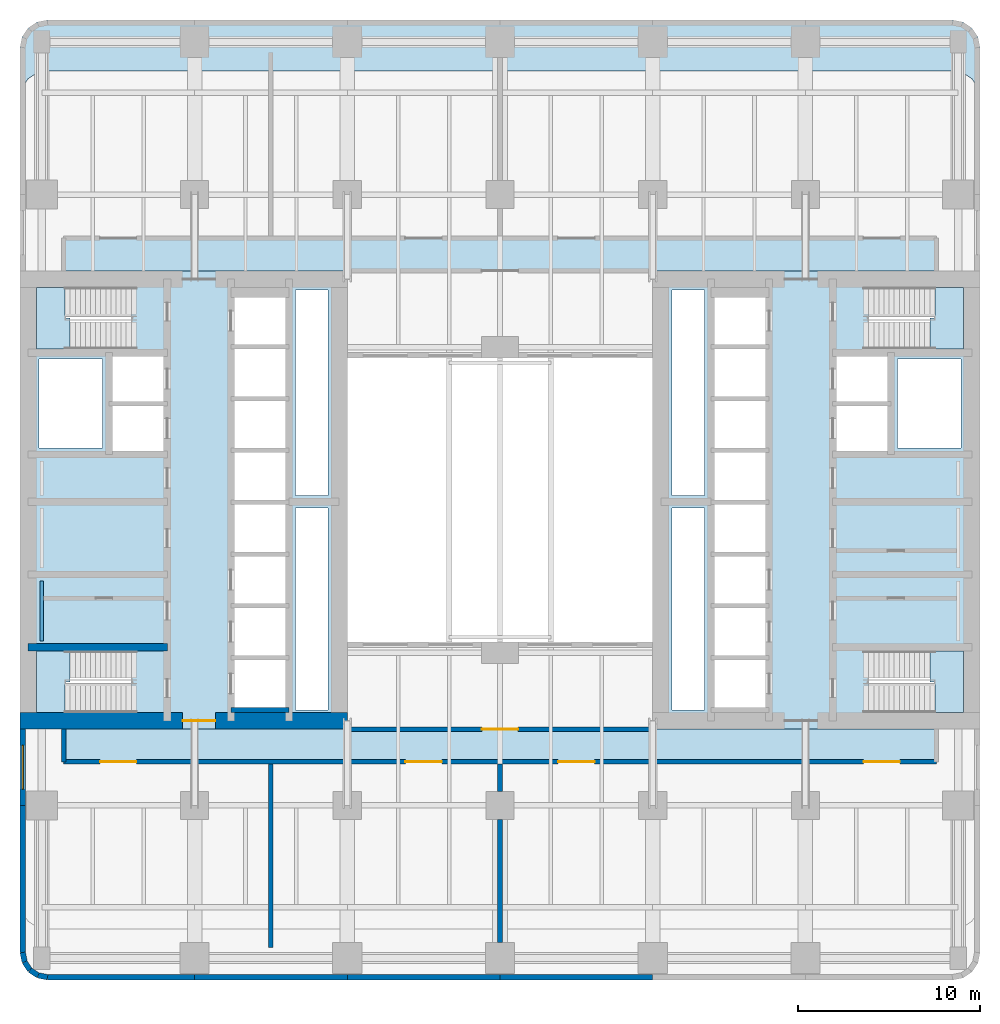
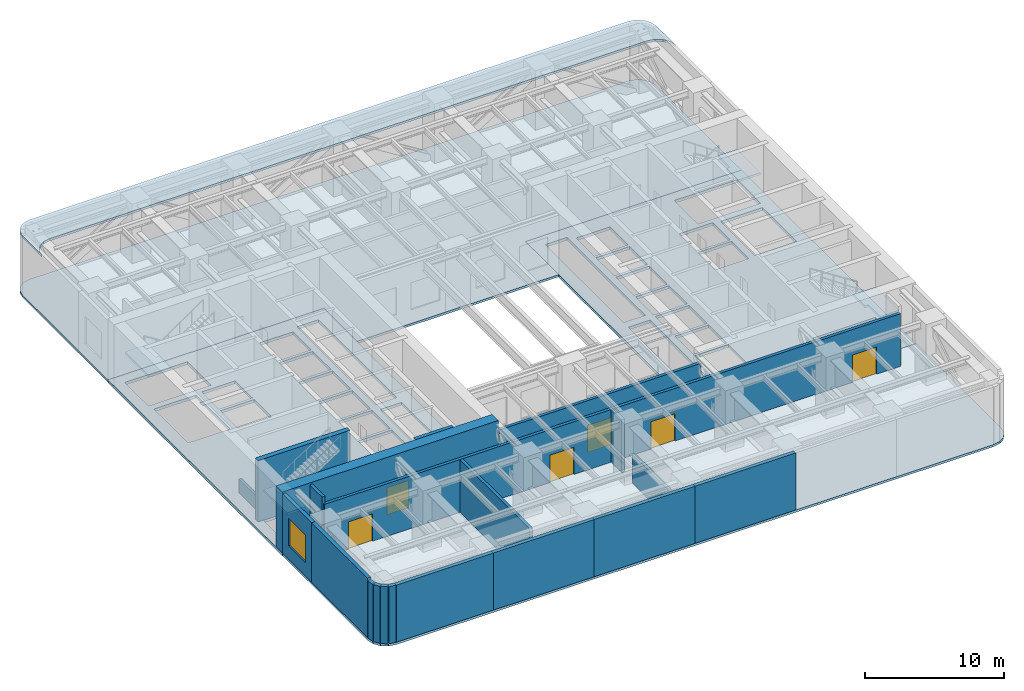
# One storey, part 3 of 11: 20 walls, 9 slabs, 6 doors, 1 window, 7 openings, 4 elements without a shape of their own.
"""IFC4 building model written with IfcOpenShell, lengths in metres."""

import ifcopenshell
import ifcopenshell.guid

model = None  # the IFC model being written
_history = None  # IfcOwnerHistory: only IFC2X3 demands one
_inside = {}  # id of a spatial element -> (the spatial element, [elements in it])
_under = {}  # id of a project, library or spatial element -> (it, [spatial elements below it])
_declared = {}  # id of a project -> (the project, [libraries it declares])
_typed = {}  # id of a type object -> (the type object, [elements of that type])
_made_of = {}  # id of a material, layer set ... -> (it, [elements and type objects made of it])


def new_model(schema):
    """Start an empty IFC model of exactly this schema.

    Asked for "IFC4X3", IfcOpenShell would pick the latest addendum, in which some entities
    have other attributes; the version numbers below select the first issue.
    IFC2X3 requires an IfcOwnerHistory on every rooted entity: one is made here for all.
    """
    global model, _history
    if schema == "IFC4X3":
        model = ifcopenshell.file(schema_version=(4, 3, 0, 0))
    else:
        model = ifcopenshell.file(schema=schema)
    _inside.clear()
    _under.clear()
    _declared.clear()
    _typed.clear()
    _made_of.clear()
    _history = None
    if model.schema == "IFC2X3":
        org = make("IfcOrganization", Name="unknown")
        user = make(
            "IfcPersonAndOrganization",
            ThePerson=make("IfcPerson", FamilyName="unknown"),
            TheOrganization=org,
        )
        app = make(
            "IfcApplication",
            ApplicationDeveloper=org,
            Version="unknown",
            ApplicationFullName="unknown",
            ApplicationIdentifier="unknown",
        )
        _history = make(
            "IfcOwnerHistory",
            OwningUser=user,
            OwningApplication=app,
            ChangeAction="ADDED",
            CreationDate=0,
        )
    return model


def make(cls, **values):
    """One entity of the class cls with the attributes given. An attribute that is None is left unset."""
    return model.create_entity(
        cls, **{name: value for name, value in values.items() if value is not None}
    )


def rooted(cls, **values):
    """An entity with a GlobalId (a new one), such as an element, a storey or a relation."""
    return make(cls, GlobalId=ifcopenshell.guid.new(), OwnerHistory=_history, **values)


def si_unit(unit_type, name, prefix=None):
    """IfcSIUnit, for example si_unit("LENGTHUNIT", "METRE", prefix="MILLI")."""
    return make("IfcSIUnit", UnitType=unit_type, Prefix=prefix, Name=name)


def assignment(units):
    """IfcUnitAssignment: the units of a project."""
    return None if units is None else make("IfcUnitAssignment", Units=units)


def point(xyz):
    """IfcCartesianPoint."""
    return None if xyz is None else make("IfcCartesianPoint", Coordinates=xyz)


def direction(xyz):
    """IfcDirection."""
    return None if xyz is None else make("IfcDirection", DirectionRatios=xyz)


def frame(location, z_axis=None, x_axis=None):
    """IfcAxis2Placement3D, a coordinate frame: its origin and axes. An axis left out is left unset."""
    return make(
        "IfcAxis2Placement3D",
        Location=point(location),
        Axis=direction(z_axis),
        RefDirection=direction(x_axis),
    )


def frame_2d(location, x_axis=None):
    """IfcAxis2Placement2D, a coordinate frame in the plane: its origin and x axis."""
    return make(
        "IfcAxis2Placement2D", Location=point(location), RefDirection=direction(x_axis)
    )


def origin():
    """The frame at (0, 0, 0) with its axes left unset."""
    return frame((0.0, 0.0, 0.0))


def place(relative_to, where):
    """IfcLocalPlacement: puts the frame where relative to a parent placement (None: the world)."""
    return make(
        "IfcLocalPlacement", PlacementRelTo=relative_to, RelativePlacement=where
    )


def context(
    kind, dimensions, precision=None, world=None, true_north=None, identifier=None
):
    """IfcGeometricRepresentationContext, for example the 3D "Model" context."""
    return make(
        "IfcGeometricRepresentationContext",
        ContextIdentifier=identifier,
        ContextType=kind,
        CoordinateSpaceDimension=dimensions,
        Precision=precision,
        WorldCoordinateSystem=world,
        TrueNorth=true_north,
    )


def subcontext(parent, identifier, kind, view, scale=None):
    """IfcGeometricRepresentationSubContext, for example "Body" below "Model"."""
    return make(
        "IfcGeometricRepresentationSubContext",
        ContextIdentifier=identifier,
        ContextType=kind,
        ParentContext=parent,
        TargetScale=scale,
        TargetView=view,
    )


def project(units=None, contexts=None):
    """IfcProject with its units and contexts."""
    return rooted(
        "IfcProject",
        Name="project",
        RepresentationContexts=contexts,
        UnitsInContext=assignment(units),
    )


def spatial(cls, under=None, at=None, **own):
    """A site, building, storey or space (cls), placed at a placement, below another one or the project."""
    s = rooted(cls, ObjectPlacement=at, **own)
    if under is not None:
        _under.setdefault(under.id(), (under, []))[1].append(s)
    return s


def polyline(points):
    """IfcPolyline through the points."""
    return make("IfcPolyline", Points=[point(p) for p in points])


def profile(cls, at=None, kind="AREA", **sizes):
    """A parametric profile (cls). Its sizes go by their IFC names, for example OverallWidth=200.0."""
    return make(cls, ProfileType=kind, Position=at, **sizes)


def rectangle(**sizes):
    """IfcRectangleProfileDef."""
    return profile("IfcRectangleProfileDef", **sizes)


def outline(outer, holes=None, kind="AREA"):
    """IfcArbitraryClosedProfileDef: a profile drawn as a closed curve; with holes, ...WithVoids."""
    if holes is None:
        return make("IfcArbitraryClosedProfileDef", ProfileType=kind, OuterCurve=outer)
    return make(
        "IfcArbitraryProfileDefWithVoids",
        ProfileType=kind,
        OuterCurve=outer,
        InnerCurves=holes,
    )


def extrude(swept, where, along, depth):
    """IfcExtrudedAreaSolid: the profile swept, set in the frame where, extruded along a direction by depth."""
    return make(
        "IfcExtrudedAreaSolid",
        SweptArea=swept,
        Position=where,
        ExtrudedDirection=direction(along),
        Depth=depth,
    )


def shape(context_of_items, identifier, shape_type, items):
    """IfcShapeRepresentation: the items that make up one representation, for example the "Body"."""
    return make(
        "IfcShapeRepresentation",
        ContextOfItems=context_of_items,
        RepresentationIdentifier=identifier,
        RepresentationType=shape_type,
        Items=items,
    )


def material(Name=None, Category=None):
    """IfcMaterial."""
    return make("IfcMaterial", Name=Name, Category=Category)


def layer(
    of_material, thickness, ventilated=None, Name=None, Category=None, Priority=None
):
    """IfcMaterialLayer: one layer of a wall or slab, of a material (None: an air gap)."""
    return make(
        "IfcMaterialLayer",
        Material=of_material,
        LayerThickness=thickness,
        IsVentilated=ventilated,
        Name=Name,
        Category=Category,
        Priority=Priority,
    )


def layer_set(layers, Name=None):
    """IfcMaterialLayerSet."""
    return make("IfcMaterialLayerSet", MaterialLayers=layers, LayerSetName=Name)


def made_of(thing, what):
    """Note that an element or type object is made of a material, layer set ...; save() writes the relation."""
    if what is not None:
        _made_of.setdefault(what.id(), (what, []))[1].append(thing)
    return thing


def type_object(cls, material=None, **own):
    """A type object (cls), such as IfcWallType, which elements share."""
    return made_of(rooted(cls, **own), material)


def element(
    cls,
    number,
    at=None,
    inside=None,
    cuts=None,
    type_object=None,
    material=None,
    context=None,
    identifier="Body",
    shape_type=None,
    held_by="IfcProductDefinitionShape",
    body=None,
    shapes=None,
    **own,
):
    """One element of the class cls, such as IfcWall. Its Tag is "e" and its number.

    at: its placement. inside: the storey or other place that contains it. cuts: it is an
    opening in that element (IfcRelVoidsElement). A single representation is given by context,
    identifier, shape_type and body (its items); several are given by shapes. held_by: the class
    of the entity that holds the representations. save() writes the other relations.
    """
    e = rooted(cls, Tag="e%d" % number, ObjectPlacement=at, **own)
    if body is not None:
        shapes = [shape(context, identifier, shape_type, body)]
    if shapes is not None:
        e.Representation = make(held_by, Representations=shapes)
    if inside is not None:
        _inside.setdefault(inside.id(), (inside, []))[1].append(e)
    if cuts is not None:
        rooted(
            "IfcRelVoidsElement", RelatingBuildingElement=cuts, RelatedOpeningElement=e
        )
    if type_object is not None:
        _typed.setdefault(type_object.id(), (type_object, []))[1].append(e)
    return made_of(e, material)


def fill(opening, filler):
    """IfcRelFillsElement: the door or window that sits in an opening."""
    return rooted(
        "IfcRelFillsElement",
        RelatingOpeningElement=opening,
        RelatedBuildingElement=filler,
    )


def aggregate(whole, parts):
    """IfcRelAggregates: a whole, such as a stair, and the parts it consists of."""
    return rooted("IfcRelAggregates", RelatingObject=whole, RelatedObjects=parts)


def save(model, path):
    """Write the relations noted so far, then the file.

    IfcRelAggregates (storeys below a building ...), IfcRelContainedInSpatialStructure (elements
    in a storey), IfcRelDefinesByType, IfcRelAssociatesMaterial and IfcRelDeclares: one each for
    every whole, place, type object, material and project.
    """
    for whole, parts in _under.values():
        aggregate(whole, parts)
    for where, things in _inside.values():
        rooted(
            "IfcRelContainedInSpatialStructure",
            RelatedElements=things,
            RelatingStructure=where,
        )
    for kind, things in _typed.values():
        rooted("IfcRelDefinesByType", RelatedObjects=things, RelatingType=kind)
    for what, things in _made_of.values():
        rooted("IfcRelAssociatesMaterial", RelatedObjects=things, RelatingMaterial=what)
    for by, libraries in _declared.values():
        rooted("IfcRelDeclares", RelatingContext=by, RelatedDefinitions=libraries)
    model.write(path)


model = new_model("IFC4")

# Units and contexts
model_context = context("Model", 3, precision=1e-05, world=origin(), true_north=direction((0.0, 1.0)))
body_context = subcontext(model_context, "Body", "Model", "MODEL_VIEW")
ifc_project = project(units=[si_unit("LENGTHUNIT", "METRE"), si_unit("AREAUNIT", "SQUARE_METRE"), si_unit("VOLUMEUNIT", "CUBIC_METRE"), si_unit("PLANEANGLEUNIT", "RADIAN"), si_unit("MASSUNIT", "GRAM", prefix="KILO")], contexts=[model_context])

# Site, building, storey
site_placement = place(None, origin())
site = spatial("IfcSite", under=ifc_project, at=site_placement, CompositionType="ELEMENT")
building_placement = place(site_placement, origin())
building = spatial("IfcBuilding", under=site, at=building_placement, Name="Claustro Exchange Tower", CompositionType="ELEMENT")
storey_placement = place(building_placement, frame((0.0, 0.0, 90.89990234375)))
storey = spatial("IfcBuildingStorey", under=building, at=storey_placement, Name="L20", CompositionType="ELEMENT", Elevation=90.89990234375)

# Slabs
ifc_material_1 = material(Name="Concrete HA-50 (C50/60)", Category="concrete")
ifc_layer_1 = layer(ifc_material_1, 0.199951171875)
ifc_layer_set_1 = layer_set([ifc_layer_1], Name="Concrete HA-50 (C50/60)")
slab_type_1 = type_object("IfcSlabType", Name="S3 200 plant floor slab", PredefinedType="FLOOR", material=ifc_layer_set_1)
slab_1_placement = place(storey_placement, frame((0.0, 0.0, -0.199951171875)))
element("IfcSlab", 1, at=slab_1_placement, inside=storey, type_object=slab_type_1, Name="Floor slab S3 S L20", PredefinedType="FLOOR", context=body_context, shape_type="SweptSolid", body=[
    extrude(outline(polyline([(-0.27392578125, -1.085693359375), (0.300048828125, -1.199951171875), (50.10009765625, -1.199951171875), (50.674072265625, -1.085693359375), (51.16064453125, -0.7607421875), (51.48583984375, -0.27392578125), (51.60009765625, 0.300048828125), (51.60009765625, 12.60009765625), (33.60009765625, 12.60009765625), (33.60009765625, 17.39990234375), (16.800048828125, 17.39990234375), (16.800048828125, 12.60009765625), (-1.199951171875, 12.60009765625), (-1.199951171875, 0.300048828125), (-1.085693359375, -0.27392578125), (-0.7607421875, -0.7607421875), (-0.27392578125, -1.085693359375)])), origin(), (0.0, 0.0, 1.0), 0.199951171875),
])
slab_2_placement = place(storey_placement, frame((0.0, 0.0, -0.199951171875)))
element("IfcSlab", 2, at=slab_2_placement, inside=storey, type_object=slab_type_1, Name="Floor slab S3 N L20", PredefinedType="FLOOR", context=body_context, shape_type="SweptSolid", body=[
    extrude(outline(polyline([(16.800048828125, 37.800048828125), (16.800048828125, 33.0), (33.60009765625, 33.0), (33.60009765625, 37.800048828125), (51.60009765625, 37.800048828125), (51.60009765625, 50.10009765625), (51.48583984375, 50.674072265625), (51.16064453125, 51.16064453125), (50.674072265625, 51.48583984375), (50.10009765625, 51.60009765625), (0.300048828125, 51.60009765625), (-0.27392578125, 51.48583984375), (-0.7607421875, 51.16064453125), (-1.085693359375, 50.674072265625), (-1.199951171875, 50.10009765625), (-1.199951171875, 37.800048828125), (16.800048828125, 37.800048828125)])), origin(), (0.0, 0.0, 1.0), 0.199951171875),
])
ifc_material_2 = material(Name="Concrete HA-50 (C50/60)", Category="concrete")
ifc_layer_2 = layer(ifc_material_2, 0.199951171875)
ifc_layer_set_2 = layer_set([ifc_layer_2], Name="Concrete HA-50 (C50/60)")
slab_type_2 = type_object("IfcSlabType", Name="S6 200 roof slab", PredefinedType="ROOF", material=ifc_layer_set_2)
slab_3_placement = place(storey_placement, frame((0.0, 0.0, 5.0400390625)))
element("IfcSlab", 3, at=slab_3_placement, inside=storey, type_object=slab_type_2, Name="Roof slab S6 N over L20", PredefinedType="ROOF", context=body_context, shape_type="SweptSolid", body=[
    extrude(outline(polyline([(-1.085693359375, 50.674072265625), (-1.199951171875, 50.10009765625), (-1.199951171875, 47.300048828125), (-1.085693359375, 47.8740234375), (-0.7607421875, 48.360595703125), (-0.27392578125, 48.685791015625), (0.300048828125, 48.800048828125), (50.10009765625, 48.800048828125), (50.674072265625, 48.685791015625), (51.16064453125, 48.360595703125), (51.48583984375, 47.8740234375), (51.60009765625, 47.300048828125), (51.60009765625, 50.10009765625), (51.48583984375, 50.674072265625), (51.16064453125, 51.16064453125), (50.674072265625, 51.48583984375), (50.10009765625, 51.60009765625), (0.300048828125, 51.60009765625), (-0.27392578125, 51.48583984375), (-0.7607421875, 51.16064453125), (-1.085693359375, 50.674072265625)])), origin(), (0.0, 0.0, 1.0), 0.199951171875),
])
ifc_material_3 = material(Name="Concrete HA-50 (C50/60)", Category="concrete")
ifc_layer_3 = layer(ifc_material_3, 0.25)
ifc_layer_set_3 = layer_set([ifc_layer_3], Name="Concrete HA-50 (C50/60)")
slab_type_3 = type_object("IfcSlabType", Name="S7 250 core floor slab", PredefinedType="FLOOR", material=ifc_layer_set_3)
slab_4_placement = place(storey_placement, frame((0.0, 0.0, -0.25)))
element("IfcSlab", 4, at=slab_4_placement, inside=storey, type_object=slab_type_3, Name="Core floor slab S7 W core L20", PredefinedType="FLOOR", context=body_context, shape_type="SweptSolid", body=[
    extrude(outline(polyline([(-1.199951171875, 12.60009765625), (16.800048828125, 12.60009765625), (16.800048828125, 37.800048828125), (-1.199951171875, 37.800048828125), (-1.199951171875, 12.60009765625)]), holes=[polyline([(15.75, 24.75), (15.75, 13.64990234375), (13.949951171875, 13.64990234375), (13.949951171875, 24.75), (15.75, 24.75)]), polyline([(15.75, 36.75), (15.75, 25.449951171875), (13.949951171875, 25.449951171875), (13.949951171875, 36.75), (15.75, 36.75)]), polyline([(10.60009765625, 16.39990234375), (13.39990234375, 16.39990234375), (13.39990234375, 13.800048828125), (10.60009765625, 13.800048828125), (10.60009765625, 16.39990234375)]), polyline([(13.39990234375, 19.25), (13.39990234375, 16.64990234375), (10.60009765625, 16.64990234375), (10.60009765625, 19.25), (13.39990234375, 19.25)]), polyline([(13.39990234375, 22.10009765625), (13.39990234375, 19.5), (10.60009765625, 19.5), (10.60009765625, 22.10009765625), (13.39990234375, 22.10009765625)]), polyline([(13.39990234375, 24.949951171875), (13.39990234375, 22.35009765625), (10.60009765625, 22.35009765625), (10.60009765625, 24.949951171875), (13.39990234375, 24.949951171875)]), polyline([(13.39990234375, 27.800048828125), (13.39990234375, 25.199951171875), (10.60009765625, 25.199951171875), (10.60009765625, 27.800048828125), (13.39990234375, 27.800048828125)]), polyline([(13.39990234375, 30.64990234375), (13.39990234375, 28.050048828125), (10.60009765625, 28.050048828125), (10.60009765625, 30.64990234375), (13.39990234375, 30.64990234375)]), polyline([(13.39990234375, 33.5), (13.39990234375, 30.89990234375), (10.60009765625, 30.89990234375), (10.60009765625, 33.5), (13.39990234375, 33.5)]), polyline([(13.39990234375, 36.35009765625), (13.39990234375, 33.75), (10.60009765625, 33.75), (10.60009765625, 36.35009765625), (13.39990234375, 36.35009765625)]), polyline([(6.699951171875, 30.375), (6.699951171875, 27.89990234375), (3.89990234375, 27.89990234375), (3.89990234375, 30.375), (6.699951171875, 30.375)]), polyline([(6.699951171875, 33.10009765625), (6.699951171875, 30.625), (3.89990234375, 30.625), (3.89990234375, 33.10009765625), (6.699951171875, 33.10009765625)]), polyline([(-0.300048828125, 15.199951171875), (-0.300048828125, 16.89990234375), (4.9150390625, 16.89990234375), (4.9150390625, 15.199951171875), (4.919921875, 15.199951171875), (4.919921875, 13.5), (-0.300048828125, 13.5), (-0.300048828125, 15.199951171875)]), polyline([(-0.300048828125, 36.89990234375), (4.919921875, 36.89990234375), (4.919921875, 35.199951171875), (4.9150390625, 35.199951171875), (4.9150390625, 33.5), (-0.300048828125, 33.5), (-0.300048828125, 35.199951171875), (-0.300048828125, 36.89990234375)]), polyline([(3.35009765625, 32.949951171875), (3.35009765625, 28.050048828125), (-0.14990234375, 28.050048828125), (-0.14990234375, 32.949951171875), (3.35009765625, 32.949951171875)])]), origin(), (0.0, 0.0, 1.0), 0.25),
])
slab_5_placement = place(storey_placement, frame((0.0, 0.0, -0.25)))
element("IfcSlab", 5, at=slab_5_placement, inside=storey, type_object=slab_type_3, Name="Core floor slab S7 E core L20", PredefinedType="FLOOR", context=body_context, shape_type="SweptSolid", body=[
    extrude(outline(polyline([(33.60009765625, 12.60009765625), (51.60009765625, 12.60009765625), (51.60009765625, 37.800048828125), (33.60009765625, 37.800048828125), (33.60009765625, 12.60009765625)]), holes=[polyline([(45.47998046875, 35.199951171875), (45.47998046875, 36.89990234375), (50.699951171875, 36.89990234375), (50.699951171875, 35.199951171875), (50.699951171875, 33.5), (45.485107421875, 33.5), (45.485107421875, 35.199951171875), (45.47998046875, 35.199951171875)]), polyline([(45.485107421875, 15.199951171875), (45.485107421875, 16.89990234375), (50.699951171875, 16.89990234375), (50.699951171875, 15.199951171875), (50.699951171875, 13.5), (45.47998046875, 13.5), (45.47998046875, 15.199951171875), (45.485107421875, 15.199951171875)]), polyline([(50.550048828125, 32.949951171875), (50.550048828125, 28.050048828125), (47.050048828125, 28.050048828125), (47.050048828125, 32.949951171875), (50.550048828125, 32.949951171875)]), polyline([(46.5, 30.375), (46.5, 27.89990234375), (43.699951171875, 27.89990234375), (43.699951171875, 30.375), (46.5, 30.375)]), polyline([(46.5, 33.10009765625), (46.5, 30.625), (43.699951171875, 30.625), (43.699951171875, 33.10009765625), (46.5, 33.10009765625)]), polyline([(37.0, 16.39990234375), (39.800048828125, 16.39990234375), (39.800048828125, 13.800048828125), (37.0, 13.800048828125), (37.0, 16.39990234375)]), polyline([(39.800048828125, 19.25), (39.800048828125, 16.64990234375), (37.0, 16.64990234375), (37.0, 19.25), (39.800048828125, 19.25)]), polyline([(39.800048828125, 22.10009765625), (39.800048828125, 19.5), (37.0, 19.5), (37.0, 22.10009765625), (39.800048828125, 22.10009765625)]), polyline([(39.800048828125, 24.949951171875), (39.800048828125, 22.35009765625), (37.0, 22.35009765625), (37.0, 24.949951171875), (39.800048828125, 24.949951171875)]), polyline([(39.800048828125, 27.800048828125), (39.800048828125, 25.199951171875), (37.0, 25.199951171875), (37.0, 27.800048828125), (39.800048828125, 27.800048828125)]), polyline([(39.800048828125, 30.64990234375), (39.800048828125, 28.050048828125), (37.0, 28.050048828125), (37.0, 30.64990234375), (39.800048828125, 30.64990234375)]), polyline([(39.800048828125, 33.5), (39.800048828125, 30.89990234375), (37.0, 30.89990234375), (37.0, 33.5), (39.800048828125, 33.5)]), polyline([(39.800048828125, 36.35009765625), (39.800048828125, 33.75), (37.0, 33.75), (37.0, 36.35009765625), (39.800048828125, 36.35009765625)]), polyline([(36.449951171875, 24.75), (36.449951171875, 13.64990234375), (34.64990234375, 13.64990234375), (34.64990234375, 24.75), (36.449951171875, 24.75)]), polyline([(36.449951171875, 36.75), (36.449951171875, 25.449951171875), (34.64990234375, 25.449951171875), (34.64990234375, 36.75), (36.449951171875, 36.75)])]), origin(), (0.0, 0.0, 1.0), 0.25),
])

# Stair, slab
ifc_material_4 = material(Name="Concrete HA-30 (C30/37), precast", Category="concrete")
stair_type = type_object("IfcStairType", Name="ST3 half-turn stair, 30 risers of 180", PredefinedType="HALF_TURN_STAIR", material=ifc_material_4)
stair_1_placement = place(storey_placement, origin())
stair_1 = element("IfcStair", 6, at=stair_1_placement, inside=storey, type_object=stair_type, Name="Stair STWA L20", PredefinedType="HALF_TURN_STAIR")
ifc_material_5 = material(Name="Concrete HA-30 (C30/37), precast", Category="concrete")
ifc_layer_4 = layer(ifc_material_5, 0.199951171875)
ifc_layer_set_4 = layer_set([ifc_layer_4], Name="Concrete HA-30 (C30/37), precast")
slab_type_4 = type_object("IfcSlabType", Name="S9 200 stair landing", PredefinedType="LANDING", material=ifc_layer_set_4)
slab_6_placement = place(storey_placement, frame((0.0, 0.0, 2.5)))
slab_6 = element("IfcSlab", 7, at=slab_6_placement, type_object=slab_type_4, Name="STWA landing 1", PredefinedType="LANDING", context=body_context, shape_type="SweptSolid", body=[
    extrude(outline(polyline([(1.284912109375, 13.5), (-0.300048828125, 13.5), (-0.300048828125, 16.89990234375), (1.280029296875, 16.89990234375), (1.284912109375, 16.89990234375), (1.56005859375, 16.89990234375), (1.56005859375, 15.199951171875), (1.284912109375, 15.199951171875), (1.284912109375, 13.5)])), origin(), (0.0, 0.0, 1.0), 0.2001953125),
])
aggregate(stair_1, [slab_6])

stair_2_placement = place(storey_placement, origin())
stair_2 = element("IfcStair", 8, at=stair_2_placement, inside=storey, type_object=stair_type, Name="Stair STWB L20", PredefinedType="HALF_TURN_STAIR")
slab_7_placement = place(storey_placement, frame((0.0, 0.0, 2.5)))
slab_7 = element("IfcSlab", 9, at=slab_7_placement, type_object=slab_type_4, Name="STWB landing 1", PredefinedType="LANDING", context=body_context, shape_type="SweptSolid", body=[
    extrude(outline(polyline([(1.56005859375, 35.199951171875), (1.56005859375, 33.5), (1.284912109375, 33.5), (1.280029296875, 33.5), (-0.300048828125, 33.5), (-0.300048828125, 36.89990234375), (1.284912109375, 36.89990234375), (1.284912109375, 35.199951171875), (1.56005859375, 35.199951171875)])), origin(), (0.0, 0.0, 1.0), 0.2001953125),
])
aggregate(stair_2, [slab_7])

stair_3_placement = place(storey_placement, origin())
stair_3 = element("IfcStair", 10, at=stair_3_placement, inside=storey, type_object=stair_type, Name="Stair STEA L20", PredefinedType="HALF_TURN_STAIR")
slab_8_placement = place(storey_placement, frame((0.0, 0.0, 2.5)))
slab_8 = element("IfcSlab", 11, at=slab_8_placement, type_object=slab_type_4, Name="STEA landing 1", PredefinedType="LANDING", context=body_context, shape_type="SweptSolid", body=[
    extrude(outline(polyline([(50.699951171875, 16.89990234375), (50.699951171875, 13.5), (49.114990234375, 13.5), (49.114990234375, 15.199951171875), (48.840087890625, 15.199951171875), (48.840087890625, 16.89990234375), (49.114990234375, 16.89990234375), (49.1201171875, 16.89990234375), (50.699951171875, 16.89990234375)])), origin(), (0.0, 0.0, 1.0), 0.2001953125),
])
aggregate(stair_3, [slab_8])

stair_4_placement = place(storey_placement, origin())
stair_4 = element("IfcStair", 12, at=stair_4_placement, inside=storey, type_object=stair_type, Name="Stair STEB L20", PredefinedType="HALF_TURN_STAIR")
slab_9_placement = place(storey_placement, frame((0.0, 0.0, 2.5)))
slab_9 = element("IfcSlab", 13, at=slab_9_placement, type_object=slab_type_4, Name="STEB landing 1", PredefinedType="LANDING", context=body_context, shape_type="SweptSolid", body=[
    extrude(outline(polyline([(48.840087890625, 33.5), (48.840087890625, 35.199951171875), (49.114990234375, 35.199951171875), (49.114990234375, 36.89990234375), (50.699951171875, 36.89990234375), (50.699951171875, 33.5), (49.1201171875, 33.5), (49.114990234375, 33.5), (48.840087890625, 33.5)])), origin(), (0.0, 0.0, 1.0), 0.2001953125),
])
aggregate(stair_4, [slab_9])

# Wall, openings, doors
ifc_material_6 = material(Name="Concrete blockwork, rendered", Category="masonry")
ifc_layer_5 = layer(ifc_material_6, 0.25)
ifc_layer_set_5 = layer_set([ifc_layer_5], Name="Concrete blockwork, rendered")
wall_type_1 = type_object("IfcWallType", Name="P4 250 blockwork wall", PredefinedType="PARTITIONING", material=ifc_layer_set_5)
wall_1_placement = place(storey_placement, frame((1.199951171875, 10.800048828125, 0.0), z_axis=(0.0, 0.0, 1.0), x_axis=(1.0, 0.0, 0.0)))
wall_1 = element("IfcWall", 14, at=wall_1_placement, inside=storey, type_object=wall_type_1, Name="Partition P4 L20", PredefinedType="PARTITIONING", context=body_context, shape_type="SweptSolid", body=[
    extrude(rectangle(XDim=48.0, YDim=0.25, at=frame_2d((24.0, 0.0))), origin(), (0.0, 0.0, 1.0), 4.64013671875),
])
opening_1_placement = place(wall_1_placement, frame((2.0, 0.0, 0.0)))
opening_1 = element("IfcOpeningElement", 15, at=opening_1_placement, cuts=wall_1, Name="Opening D9", PredefinedType="OPENING", context=body_context, shape_type="SweptSolid", body=[
    extrude(rectangle(XDim=2.0, YDim=2.39990234375, at=frame_2d((1.0, 1.199951171875))), frame((0.0, 0.135009765625, 0.0), z_axis=(0.0, -1.0, 0.0), x_axis=(1.0, 0.0, 0.0)), (0.0, 0.0, 1.0), 0.27001953125),
])
opening_2_placement = place(wall_1_placement, frame((18.800048828125, 0.0, 0.0)))
opening_2 = element("IfcOpeningElement", 16, at=opening_2_placement, cuts=wall_1, Name="Opening D9", PredefinedType="OPENING", context=body_context, shape_type="SweptSolid", body=[
    extrude(rectangle(XDim=2.0, YDim=2.39990234375, at=frame_2d((1.0, 1.199951171875))), frame((0.0, 0.135009765625, 0.0), z_axis=(0.0, -1.0, 0.0), x_axis=(1.0, 0.0, 0.0)), (0.0, 0.0, 1.0), 0.27001953125),
])
opening_3_placement = place(wall_1_placement, frame((27.199951171875, 0.0, 0.0)))
opening_3 = element("IfcOpeningElement", 17, at=opening_3_placement, cuts=wall_1, Name="Opening D9", PredefinedType="OPENING", context=body_context, shape_type="SweptSolid", body=[
    extrude(rectangle(XDim=2.0, YDim=2.39990234375, at=frame_2d((1.0, 1.199951171875))), frame((0.0, 0.135009765625, 0.0), z_axis=(0.0, -1.0, 0.0), x_axis=(1.0, 0.0, 0.0)), (0.0, 0.0, 1.0), 0.27001953125),
])
opening_4_placement = place(wall_1_placement, frame((44.0, 0.0, 0.0)))
opening_4 = element("IfcOpeningElement", 18, at=opening_4_placement, cuts=wall_1, Name="Opening D9", PredefinedType="OPENING", context=body_context, shape_type="SweptSolid", body=[
    extrude(rectangle(XDim=2.0, YDim=2.39990234375, at=frame_2d((1.0, 1.199951171875))), frame((0.0, 0.135009765625, 0.0), z_axis=(0.0, -1.0, 0.0), x_axis=(1.0, 0.0, 0.0)), (0.0, 0.0, 1.0), 0.27001953125),
])
ifc_material_7 = material(Name="Steel fire door, painted", Category="steel")
door_type_1 = type_object("IfcDoorType", Name="D9 2000 x 2400 plant room double door", OperationType="DOUBLE_DOOR_SINGLE_SWING", PredefinedType="DOOR", material=ifc_material_7)
door_1_placement = place(opening_1_placement, frame((2.0, 0.0, 0.0), z_axis=(0.0, 0.0, 1.0), x_axis=(-1.0, 0.0, 0.0)))
door_1 = element("IfcDoor", 19, at=door_1_placement, inside=storey, type_object=door_type_1, Name="Double door D9 L20", OperationType="DOUBLE_DOOR_SINGLE_SWING", OverallHeight=2.39990234375, OverallWidth=2.0, PredefinedType="DOOR", context=body_context, shape_type="SweptSolid", body=[
    extrude(rectangle(XDim=2.0, YDim=2.39990234375, at=frame_2d((1.0, 1.199951171875))), frame((0.0, 0.02490234375, 0.0), z_axis=(0.0, -1.0, 0.0), x_axis=(1.0, 0.0, 0.0)), (0.0, 0.0, 1.0), 0.050048828125),
])
fill(opening_1, door_1)
door_2_placement = place(opening_2_placement, frame((2.0, 0.0, 0.0), z_axis=(0.0, 0.0, 1.0), x_axis=(-1.0, 0.0, 0.0)))
door_2 = element("IfcDoor", 20, at=door_2_placement, inside=storey, type_object=door_type_1, Name="Double door D9 L20", OperationType="DOUBLE_DOOR_SINGLE_SWING", OverallHeight=2.39990234375, OverallWidth=2.0, PredefinedType="DOOR", context=body_context, shape_type="SweptSolid", body=[
    extrude(rectangle(XDim=2.0, YDim=2.39990234375, at=frame_2d((1.0, 1.199951171875))), frame((0.0, 0.02490234375, 0.0), z_axis=(0.0, -1.0, 0.0), x_axis=(1.0, 0.0, 0.0)), (0.0, 0.0, 1.0), 0.050048828125),
])
fill(opening_2, door_2)
door_3_placement = place(opening_3_placement, frame((2.0, 0.0, 0.0), z_axis=(0.0, 0.0, 1.0), x_axis=(-1.0, 0.0, 0.0)))
door_3 = element("IfcDoor", 21, at=door_3_placement, inside=storey, type_object=door_type_1, Name="Double door D9 L20", OperationType="DOUBLE_DOOR_SINGLE_SWING", OverallHeight=2.39990234375, OverallWidth=2.0, PredefinedType="DOOR", context=body_context, shape_type="SweptSolid", body=[
    extrude(rectangle(XDim=2.0, YDim=2.39990234375, at=frame_2d((1.0, 1.199951171875))), frame((0.0, 0.02490234375, 0.0), z_axis=(0.0, -1.0, 0.0), x_axis=(1.0, 0.0, 0.0)), (0.0, 0.0, 1.0), 0.050048828125),
])
fill(opening_3, door_3)
door_4_placement = place(opening_4_placement, frame((2.0, 0.0, 0.0), z_axis=(0.0, 0.0, 1.0), x_axis=(-1.0, 0.0, 0.0)))
door_4 = element("IfcDoor", 22, at=door_4_placement, inside=storey, type_object=door_type_1, Name="Double door D9 L20", OperationType="DOUBLE_DOOR_SINGLE_SWING", OverallHeight=2.39990234375, OverallWidth=2.0, PredefinedType="DOOR", context=body_context, shape_type="SweptSolid", body=[
    extrude(rectangle(XDim=2.0, YDim=2.39990234375, at=frame_2d((1.0, 1.199951171875))), frame((0.0, 0.02490234375, 0.0), z_axis=(0.0, -1.0, 0.0), x_axis=(1.0, 0.0, 0.0)), (0.0, 0.0, 1.0), 0.050048828125),
])
fill(opening_4, door_4)

# Walls
wall_2_placement = place(storey_placement, frame((1.199951171875, 10.800048828125, 0.0), z_axis=(0.0, 0.0, 1.0), x_axis=(0.0, 1.0, 0.0)))
element("IfcWall", 23, at=wall_2_placement, inside=storey, type_object=wall_type_1, Name="Partition P4 L20", PredefinedType="PARTITIONING", context=body_context, shape_type="SweptSolid", body=[
    extrude(rectangle(XDim=1.802001953125, YDim=0.25, at=frame_2d((0.90087890625, 0.0))), origin(), (0.0, 0.0, 1.0), 5.239990234375),
])
wall_3_placement = place(storey_placement, frame((25.199951171875, 0.84912109375, 0.0), z_axis=(0.0, 0.0, 1.0), x_axis=(0.0, 1.0, 0.0)))
element("IfcWall", 24, at=wall_3_placement, inside=storey, type_object=wall_type_1, Name="Partition P4 L20", PredefinedType="PARTITIONING", context=body_context, shape_type="SweptSolid", body=[
    extrude(rectangle(XDim=6.77685546875, YDim=0.25, at=frame_2d((3.388427734375, 0.0))), origin(), (0.0, 0.0, 1.0), 2.5400390625),
])
wall_4_placement = place(storey_placement, frame((25.199951171875, 9.174072265625, 0.0), z_axis=(0.0, 0.0, 1.0), x_axis=(0.0, 1.0, 0.0)))
element("IfcWall", 25, at=wall_4_placement, inside=storey, type_object=wall_type_1, Name="Partition P4 L20", PredefinedType="PARTITIONING", context=body_context, shape_type="SweptSolid", body=[
    extrude(rectangle(XDim=1.501953125, YDim=0.25, at=frame_2d((0.7509765625, 0.0))), origin(), (0.0, 0.0, 1.0), 4.64013671875),
])
wall_5_placement = place(storey_placement, frame((12.60009765625, 0.60009765625, 0.0), z_axis=(0.0, 0.0, 1.0), x_axis=(0.0, 1.0, 0.0)))
element("IfcWall", 26, at=wall_5_placement, inside=storey, type_object=wall_type_1, Name="Partition P4 L20", PredefinedType="PARTITIONING", context=body_context, shape_type="SweptSolid", body=[
    extrude(rectangle(XDim=10.075927734375, YDim=0.25, at=frame_2d((5.0380859375, 0.0))), origin(), (0.0, 0.0, 1.0), 4.64013671875),
])

# Wall, opening, door
wall_6_placement = place(storey_placement, frame((16.820068359375, 12.60009765625, 0.0), z_axis=(0.0, 0.0, 1.0), x_axis=(1.0, 0.0, 0.0)))
wall_6 = element("IfcWall", 27, at=wall_6_placement, inside=storey, type_object=wall_type_1, Name="Partition P4 L20", PredefinedType="PARTITIONING", context=body_context, shape_type="SweptSolid", body=[
    extrude(rectangle(XDim=16.760009765625, YDim=0.25, at=frame_2d((8.3798828125, 0.0))), origin(), (0.0, 0.0, 1.0), 4.64013671875),
])
opening_5_placement = place(wall_6_placement, frame((7.3798828125, 0.0, 0.0)))
opening_5 = element("IfcOpeningElement", 28, at=opening_5_placement, cuts=wall_6, Name="Opening D9", PredefinedType="OPENING", context=body_context, shape_type="SweptSolid", body=[
    extrude(rectangle(XDim=2.0, YDim=2.39990234375, at=frame_2d((1.0, 1.199951171875))), frame((0.0, 0.135009765625, 0.0), z_axis=(0.0, -1.0, 0.0), x_axis=(1.0, 0.0, 0.0)), (0.0, 0.0, 1.0), 0.27001953125),
])
door_5_placement = place(opening_5_placement, origin())
door_5 = element("IfcDoor", 29, at=door_5_placement, inside=storey, type_object=door_type_1, Name="Double door D9 L20", OperationType="DOUBLE_DOOR_SINGLE_SWING", OverallHeight=2.39990234375, OverallWidth=2.0, PredefinedType="DOOR", context=body_context, shape_type="SweptSolid", body=[
    extrude(rectangle(XDim=2.0, YDim=2.39990234375, at=frame_2d((1.0, 1.199951171875))), frame((0.0, 0.02490234375, 0.0), z_axis=(0.0, -1.0, 0.0), x_axis=(1.0, 0.0, 0.0)), (0.0, 0.0, 1.0), 0.050048828125),
])
fill(opening_5, door_5)

# Walls
ifc_material_8 = material(Name="Concrete HA-40 (C40/50), precast, white cement, acid-etched", Category="concrete")
ifc_layer_6 = layer(ifc_material_8, 0.300048828125)
ifc_layer_set_6 = layer_set([ifc_layer_6], Name="Concrete HA-40 (C40/50), precast, white cement, acid-etched")
wall_type_2 = type_object("IfcWallType", Name="PC1 300 precast concrete pier panel", PredefinedType="SOLIDWALL", material=ifc_layer_set_6)
wall_7_placement = place(storey_placement, frame((33.60009765625, -1.050048828125, 0.0), z_axis=(0.0, 0.0, 1.0), x_axis=(-1.0, 0.0, 0.0)))
element("IfcWall", 30, at=wall_7_placement, inside=storey, type_object=wall_type_2, Name="Precast pier panel PC1 L20", PredefinedType="SOLIDWALL", context=body_context, shape_type="SweptSolid", body=[
    extrude(rectangle(XDim=8.400146484375, YDim=0.300048828125, at=frame_2d((4.2001953125, 0.0))), origin(), (0.0, 0.0, 1.0), 5.0400390625),
])
wall_8_placement = place(storey_placement, frame((25.199951171875, -1.050048828125, 0.0), z_axis=(0.0, 0.0, 1.0), x_axis=(-1.0, 0.0, 0.0)))
element("IfcWall", 31, at=wall_8_placement, inside=storey, type_object=wall_type_2, Name="Precast pier panel PC1 L20", PredefinedType="SOLIDWALL", context=body_context, shape_type="SweptSolid", body=[
    extrude(rectangle(XDim=8.39990234375, YDim=0.300048828125, at=frame_2d((4.199951171875, 0.0))), origin(), (0.0, 0.0, 1.0), 5.0400390625),
])
wall_9_placement = place(storey_placement, frame((16.800048828125, -1.050048828125, 0.0), z_axis=(0.0, 0.0, 1.0), x_axis=(-1.0, 0.0, 0.0)))
element("IfcWall", 32, at=wall_9_placement, inside=storey, type_object=wall_type_2, Name="Precast pier panel PC1 L20", PredefinedType="SOLIDWALL", context=body_context, shape_type="SweptSolid", body=[
    extrude(rectangle(XDim=8.400146484375, YDim=0.300048828125, at=frame_2d((4.2001953125, 0.0))), origin(), (0.0, 0.0, 1.0), 5.0400390625),
])
wall_10_placement = place(storey_placement, frame((8.39990234375, -1.050048828125, 0.0), z_axis=(0.0, 0.0, 1.0), x_axis=(-1.0, 0.0, 0.0)))
element("IfcWall", 33, at=wall_10_placement, inside=storey, type_object=wall_type_2, Name="Precast pier panel PC1 L20", PredefinedType="SOLIDWALL", context=body_context, shape_type="SweptSolid", body=[
    extrude(rectangle(XDim=8.085205078125, YDim=0.300048828125, at=frame_2d((4.04248046875, 0.0))), origin(), (0.0, 0.0, 1.0), 5.0400390625),
])
wall_11_placement = place(storey_placement, frame((0.314697265625, -1.050048828125, 0.0), z_axis=(0.0, 0.0, 1.0), x_axis=(-0.980788534345, 0.195073962632, 0.0)))
element("IfcWall", 34, at=wall_11_placement, inside=storey, type_object=wall_type_2, Name="Precast pier panel PC1 L20", PredefinedType="SOLIDWALL", context=body_context, shape_type="SweptSolid", body=[
    extrude(rectangle(XDim=0.540771484375, YDim=0.300048828125, at=frame_2d((0.2705078125, 0.0))), origin(), (0.0, 0.0, 1.0), 5.0400390625),
])
for number, where, z_axis, x_axis, name in (
    (35, (-0.215576171875, -0.944580078125, 0.0), (0.0, 0.0, 1.0), (-0.831478144188, 0.555557463938, 0.0), "Precast pier panel PC1 L20"),
    (36, (-0.652587890625, -0.652587890625, 0.0), (0.0, 0.0, 1.0), (-0.555557463938, 0.831478144188, 0.0), "Precast pier panel PC1 L20"),
):
    element("IfcWall", number, at=place(storey_placement, frame(where, z_axis=z_axis, x_axis=x_axis)), inside=storey, type_object=wall_type_2, Name=name, PredefinedType="SOLIDWALL", context=body_context, shape_type="SweptSolid", body=[
        extrude(rectangle(XDim=0.525634765625, YDim=0.300048828125, at=frame_2d((0.2626953125, 0.0))), origin(), (0.0, 0.0, 1.0), 5.0400390625),
    ])
wall_12_placement = place(storey_placement, frame((-0.944580078125, -0.215576171875, 0.0), z_axis=(0.0, 0.0, 1.0), x_axis=(-0.195073962632, 0.980788534345, 0.0)))
element("IfcWall", 37, at=wall_12_placement, inside=storey, type_object=wall_type_2, Name="Precast pier panel PC1 L20", PredefinedType="SOLIDWALL", context=body_context, shape_type="SweptSolid", body=[
    extrude(rectangle(XDim=0.540771484375, YDim=0.300048828125, at=frame_2d((0.2705078125, 0.0))), origin(), (0.0, 0.0, 1.0), 5.0400390625),
])
wall_13_placement = place(storey_placement, frame((-1.050048828125, 0.314697265625, 0.0), z_axis=(0.0, 0.0, 1.0), x_axis=(0.0, 1.0, 0.0)))
element("IfcWall", 38, at=wall_13_placement, inside=storey, type_object=wall_type_2, Name="Precast pier panel PC1 L20", PredefinedType="SOLIDWALL", context=body_context, shape_type="SweptSolid", body=[
    extrude(rectangle(XDim=8.085205078125, YDim=0.300048828125, at=frame_2d((4.04248046875, 0.0))), origin(), (0.0, 0.0, 1.0), 5.239990234375),
])

# Wall, opening, window
wall_14_placement = place(storey_placement, frame((-1.050048828125, 8.39990234375, 0.0), z_axis=(0.0, 0.0, 1.0), x_axis=(0.0, 1.0, 0.0)))
wall_14 = element("IfcWall", 39, at=wall_14_placement, inside=storey, type_object=wall_type_2, Name="Precast pier panel PC1 L20", PredefinedType="SOLIDWALL", context=body_context, shape_type="SweptSolid", body=[
    extrude(rectangle(XDim=4.2001953125, YDim=0.300048828125, at=frame_2d((2.10009765625, 0.0))), origin(), (0.0, 0.0, 1.0), 5.239990234375),
])
opening_6_placement = place(wall_14_placement, frame((0.89990234375, 0.0, 1.199951171875)))
opening_6 = element("IfcOpeningElement", 40, at=opening_6_placement, cuts=wall_14, Name="Opening L2", PredefinedType="OPENING", context=body_context, shape_type="SweptSolid", body=[
    extrude(rectangle(XDim=2.39990234375, YDim=2.39990234375, at=frame_2d((1.199951171875, 1.199951171875))), frame((0.0, 0.159912109375, 0.0), z_axis=(0.0, -1.0, 0.0), x_axis=(1.0, 0.0, 0.0)), (0.0, 0.0, 1.0), 0.320068359375),
])
ifc_material_9 = material(Name="Aluminium louvre blades", Category="aluminium")
window_type = type_object("IfcWindowType", Name="L2 2400 x 2400 plant louvre", PartitioningType="SINGLE_PANEL", PredefinedType="USERDEFINED", material=ifc_material_9)
window_placement = place(opening_6_placement, origin())
window = element("IfcWindow", 41, at=window_placement, inside=storey, type_object=window_type, Name="Plant louvre L2 L20", ObjectType="LOUVRE", OverallHeight=2.39990234375, OverallWidth=2.39990234375, PartitioningType="SINGLE_PANEL", PredefinedType="USERDEFINED", context=body_context, shape_type="SweptSolid", body=[
    extrude(rectangle(XDim=2.39990234375, YDim=2.39990234375, at=frame_2d((1.199951171875, 1.199951171875))), frame((0.0, 0.030029296875, 0.0), z_axis=(0.0, -1.0, 0.0), x_axis=(1.0, 0.0, 0.0)), (0.0, 0.0, 1.0), 0.06005859375),
])
fill(opening_6, window)

# Wall
ifc_material_10 = material(Name="Gypsum board on steel studs, tiled", Category="steel")
ifc_layer_7 = layer(ifc_material_10, 0.199951171875)
ifc_layer_set_7 = layer_set([ifc_layer_7], Name="Gypsum board on steel studs, tiled")
wall_type_3 = type_object("IfcWallType", Name="PW1 200 WC duct wall", PredefinedType="PLUMBINGWALL", material=ifc_layer_set_7)
wall_15_placement = place(storey_placement, frame((0.0, 17.449951171875, 0.0), z_axis=(0.0, 0.0, 1.0), x_axis=(0.0, 1.0, 0.0)))
element("IfcWall", 42, at=wall_15_placement, inside=storey, type_object=wall_type_3, Name="WC duct wall PW1 L20", PredefinedType="PLUMBINGWALL", context=body_context, shape_type="SweptSolid", body=[
    extrude(rectangle(XDim=3.300048828125, YDim=0.199951171875, at=frame_2d((1.64990234375, 0.0))), origin(), (0.0, 0.0, 1.0), 1.2001953125),
])

# Wall, opening, door
ifc_material_11 = material(Name="Concrete HA-70 (C70/85)", Category="concrete")
ifc_layer_8 = layer(ifc_material_11, 0.89990234375)
ifc_layer_set_8 = layer_set([ifc_layer_8], Name="Concrete HA-70 (C70/85)")
wall_type_4 = type_object("IfcWallType", Name="SW1 900 core shear wall", PredefinedType="SHEAR", material=ifc_layer_set_8)
wall_16_placement = place(storey_placement, frame((-1.199951171875, 13.050048828125, 0.0), z_axis=(0.0, 0.0, 1.0), x_axis=(1.0, 0.0, 0.0)))
wall_16 = element("IfcWall", 43, at=wall_16_placement, inside=storey, type_object=wall_type_4, Name="Core wall SW1 W core S face L20", PredefinedType="SHEAR", context=body_context, shape_type="SweptSolid", body=[
    extrude(rectangle(XDim=18.0, YDim=0.89990234375, at=frame_2d((9.0, 0.0))), origin(), (0.0, 0.0, 1.0), 5.400146484375),
])
opening_7_placement = place(wall_16_placement, frame((8.949951171875, 0.0, 0.0)))
opening_7 = element("IfcOpeningElement", 44, at=opening_7_placement, cuts=wall_16, Name="Opening D3", PredefinedType="OPENING", context=body_context, shape_type="SweptSolid", body=[
    extrude(rectangle(XDim=1.800048828125, YDim=2.39990234375, at=frame_2d((0.89990234375, 1.199951171875))), frame((0.0, 0.4599609375, 0.0), z_axis=(0.0, -1.0, 0.0), x_axis=(1.0, 0.0, 0.0)), (0.0, 0.0, 1.0), 0.919921875),
])
ifc_material_12 = material(Name="Steel fire door, painted", Category="steel")
door_type_2 = type_object("IfcDoorType", Name="D3 1800 x 2400 fire-rated lobby double door", OperationType="DOUBLE_DOOR_SINGLE_SWING", PredefinedType="DOOR", material=ifc_material_12)
door_6_placement = place(opening_7_placement, origin())
door_6 = element("IfcDoor", 45, at=door_6_placement, inside=storey, type_object=door_type_2, Name="Lift lobby door D3 L20", OperationType="DOUBLE_DOOR_SINGLE_SWING", OverallHeight=2.39990234375, OverallWidth=1.800048828125, PredefinedType="DOOR", context=body_context, shape_type="SweptSolid", body=[
    extrude(rectangle(XDim=1.800048828125, YDim=2.39990234375, at=frame_2d((0.89990234375, 1.199951171875))), frame((0.0, 0.02490234375, 0.0), z_axis=(0.0, -1.0, 0.0), x_axis=(1.0, 0.0, 0.0)), (0.0, 0.0, 1.0), 0.050048828125),
])
fill(opening_7, door_6)

# Walls
ifc_material_13 = material(Name="Concrete HA-50 (C50/60)", Category="concrete")
ifc_layer_9 = layer(ifc_material_13, 0.39990234375)
ifc_layer_set_9 = layer_set([ifc_layer_9], Name="Concrete HA-50 (C50/60)")
wall_type_5 = type_object("IfcWallType", Name="SW4 400 internal core wall", PredefinedType="SHEAR", material=ifc_layer_set_9)
wall_17_placement = place(storey_placement, frame((-0.75, 17.10009765625, 0.0), z_axis=(0.0, 0.0, 1.0), x_axis=(1.0, 0.0, 0.0)))
element("IfcWall", 46, at=wall_17_placement, inside=storey, type_object=wall_type_5, Name="Internal core wall SW4 W core L20", PredefinedType="SHEAR", context=body_context, shape_type="SweptSolid", body=[
    extrude(rectangle(XDim=7.64990234375, YDim=0.39990234375, at=frame_2d((3.824951171875, 0.0))), origin(), (0.0, 0.0, 1.0), 5.400146484375),
])
ifc_material_14 = material(Name="Concrete HA-50 (C50/60)", Category="concrete")
ifc_layer_10 = layer(ifc_material_14, 0.300048828125)
ifc_layer_set_10 = layer_set([ifc_layer_10], Name="Concrete HA-50 (C50/60)")
wall_type_6 = type_object("IfcWallType", Name="SW6A 300 lift shaft end wall", PredefinedType="SHEAR", material=ifc_layer_set_10)
wall_18_placement = place(storey_placement, frame((10.39990234375, 13.64990234375, 0.0), z_axis=(0.0, 0.0, 1.0), x_axis=(1.0, 0.0, 0.0)))
element("IfcWall", 47, at=wall_18_placement, inside=storey, type_object=wall_type_6, Name="Lift shaft wall W core L20", PredefinedType="SHEAR", context=body_context, shape_type="SweptSolid", body=[
    extrude(rectangle(XDim=3.2001953125, YDim=0.300048828125, at=frame_2d((1.60009765625, 0.0))), origin(), (0.0, 0.0, 1.0), 5.400146484375),
])

save(model, "model.ifc")
